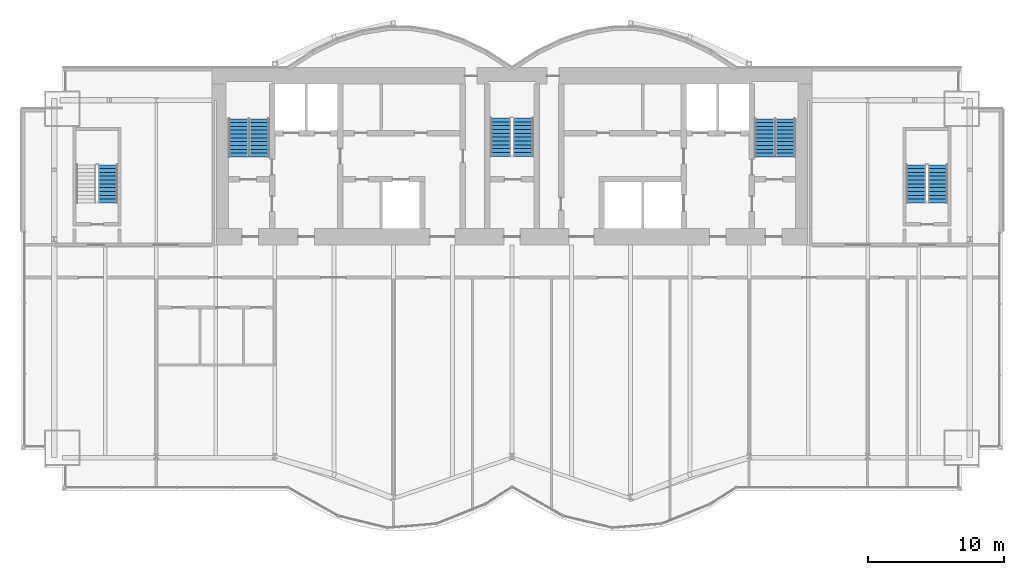
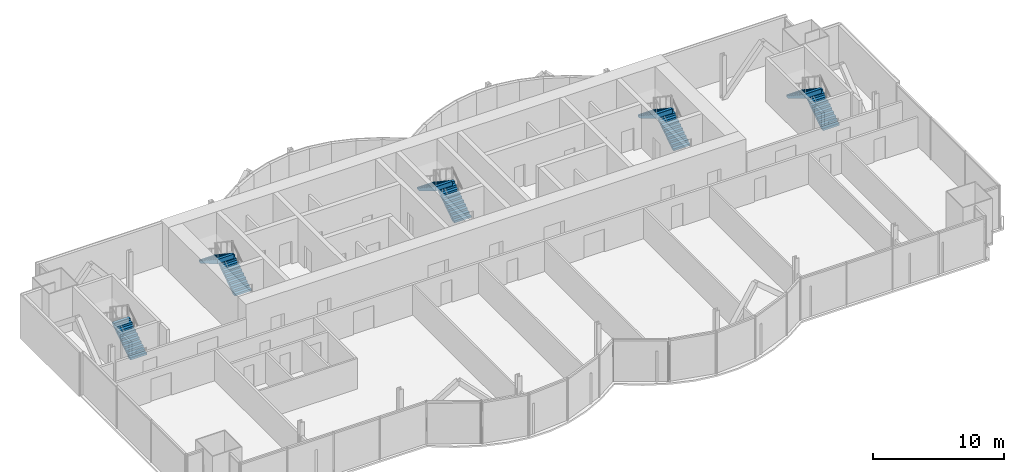
# One storey, part 17 of 20: 9 stair flights, 5 elements without a shape of their own.
"""IFC4 building model written with IfcOpenShell, lengths in metres."""

from ifc_helpers import new_model, si_unit, direction, frame, origin, place, context, subcontext, project, spatial, polyline, outline, extrude, material, type_object, element, aggregate, save


model = new_model("IFC4")

# Units and contexts
model_context = context("Model", 3, precision=1e-05, world=origin(), true_north=direction((0.0, 1.0)))
body_context = subcontext(model_context, "Body", "Model", "MODEL_VIEW")
ifc_project = project(units=[si_unit("LENGTHUNIT", "METRE"), si_unit("AREAUNIT", "SQUARE_METRE"), si_unit("VOLUMEUNIT", "CUBIC_METRE"), si_unit("PLANEANGLEUNIT", "RADIAN"), si_unit("MASSUNIT", "GRAM", prefix="KILO")], contexts=[model_context])

# Site, building, storey
site_placement = place(None, origin())
site = spatial("IfcSite", under=ifc_project, at=site_placement, CompositionType="ELEMENT")
building_placement = place(site_placement, origin())
building = spatial("IfcBuilding", under=site, at=building_placement, Name="Bicima Exchange Tower", CompositionType="ELEMENT")
storey_placement = place(building_placement, frame((0.0, 0.0, 227.800048828125)))
storey = spatial("IfcBuildingStorey", under=building, at=storey_placement, Name="L51", CompositionType="ELEMENT", Elevation=227.800048828125)

# Stair, stair flights
ifc_material = material(Name="Concrete C50/60", Category="concrete")
stair_type_1 = type_object("IfcStairType", Name="Exit stair", PredefinedType="HALF_TURN_STAIR", material=ifc_material)
stair_1_placement = place(storey_placement, origin())
stair_1 = element("IfcStair", 1, at=stair_1_placement, inside=storey, type_object=stair_type_1, Name="L51 West exit stair", PredefinedType="HALF_TURN_STAIR")
stair_flight_type_1 = type_object("IfcStairFlightType", Name="Stair flight RC", PredefinedType="STRAIGHT", material=ifc_material)
stair_flight_1_placement = place(storey_placement, frame((-18.52490234375, -6.550048828125, 0.0), z_axis=(0.0, 0.0, 1.0), x_axis=(0.0, 1.0, 0.0)))
stair_flight_1 = element("IfcStairFlight", 2, at=stair_flight_1_placement, type_object=stair_flight_type_1, Name="ST-W flight 1", NumberOfRisers=11, NumberOfTreads=10, PredefinedType="STRAIGHT", RiserHeight=0.186363636, TreadLength=0.28, context=body_context, shape_type="SweptSolid", body=[
    extrude(outline(polyline([(0.0, 0.0), (0.0, 0.186279296875), (0.280029296875, 0.186279296875), (0.280029296875, 0.372802734375), (0.56005859375, 0.372802734375), (0.56005859375, 0.55908203125), (0.840087890625, 0.55908203125), (0.840087890625, 0.745361328125), (1.1201171875, 0.745361328125), (1.1201171875, 0.931884765625), (1.39990234375, 0.931884765625), (1.39990234375, 1.1181640625), (1.679931640625, 1.1181640625), (1.679931640625, 1.304443359375), (1.9599609375, 1.304443359375), (1.9599609375, 1.490966796875), (2.239990234375, 1.490966796875), (2.239990234375, 1.67724609375), (2.52001953125, 1.67724609375), (2.52001953125, 1.863525390625), (2.800048828125, 1.863525390625), (2.800048828125, 2.050048828125), (2.800048828125, 1.68359375), (0.2705078125, 0.0), (0.0, 0.0)])), frame((0.0, 0.72509765625, 0.0), z_axis=(0.0, -1.0, 0.0), x_axis=(1.0, 0.0, 0.0)), (0.0, 0.0, 1.0), 1.449951171875),
])
stair_flight_2_placement = place(storey_placement, frame((-20.074951171875, -3.75, 2.050048828125), z_axis=(0.0, 0.0, 1.0), x_axis=(0.0, -1.0, 0.0)))
stair_flight_2 = element("IfcStairFlight", 3, at=stair_flight_2_placement, type_object=stair_flight_type_1, Name="ST-W flight 2", NumberOfRisers=11, NumberOfTreads=10, PredefinedType="STRAIGHT", RiserHeight=0.186363636, TreadLength=0.28, context=body_context, shape_type="SweptSolid", body=[
    extrude(outline(polyline([(0.0, 0.0), (0.0, 0.186279296875), (0.280029296875, 0.186279296875), (0.280029296875, 0.372802734375), (0.56005859375, 0.372802734375), (0.56005859375, 0.55908203125), (0.840087890625, 0.55908203125), (0.840087890625, 0.745361328125), (1.1201171875, 0.745361328125), (1.1201171875, 0.931884765625), (1.39990234375, 0.931884765625), (1.39990234375, 1.1181640625), (1.679931640625, 1.1181640625), (1.679931640625, 1.304443359375), (1.9599609375, 1.304443359375), (1.9599609375, 1.490966796875), (2.239990234375, 1.490966796875), (2.239990234375, 1.67724609375), (2.52001953125, 1.67724609375), (2.52001953125, 1.863525390625), (2.800048828125, 1.863525390625), (2.800048828125, 1.904052734375), (2.81494140625, 1.904052734375), (2.81494140625, 1.507080078125), (0.2705078125, 0.0), (0.0, 0.0)])), frame((0.0, 0.72509765625, 0.0), z_axis=(0.0, -1.0, 0.0), x_axis=(1.0, 0.0, 0.0)), (0.0, 0.0, 1.0), 1.449951171875),
])
aggregate(stair_1, [stair_flight_1, stair_flight_2])

stair_2_placement = place(storey_placement, origin())
stair_2 = element("IfcStair", 4, at=stair_2_placement, inside=storey, type_object=stair_type_1, Name="L51 East exit stair", PredefinedType="HALF_TURN_STAIR")
stair_flight_3_placement = place(storey_placement, frame((20.074951171875, -6.550048828125, 0.0), z_axis=(0.0, 0.0, 1.0), x_axis=(0.0, 1.0, 0.0)))
stair_flight_3 = element("IfcStairFlight", 5, at=stair_flight_3_placement, type_object=stair_flight_type_1, Name="ST-E flight 1", NumberOfRisers=11, NumberOfTreads=10, PredefinedType="STRAIGHT", RiserHeight=0.186363636, TreadLength=0.28, context=body_context, shape_type="SweptSolid", body=[
    extrude(outline(polyline([(0.0, 0.0), (0.0, 0.186279296875), (0.280029296875, 0.186279296875), (0.280029296875, 0.372802734375), (0.56005859375, 0.372802734375), (0.56005859375, 0.55908203125), (0.840087890625, 0.55908203125), (0.840087890625, 0.745361328125), (1.1201171875, 0.745361328125), (1.1201171875, 0.931884765625), (1.39990234375, 0.931884765625), (1.39990234375, 1.1181640625), (1.679931640625, 1.1181640625), (1.679931640625, 1.304443359375), (1.9599609375, 1.304443359375), (1.9599609375, 1.490966796875), (2.239990234375, 1.490966796875), (2.239990234375, 1.67724609375), (2.52001953125, 1.67724609375), (2.52001953125, 1.863525390625), (2.800048828125, 1.863525390625), (2.800048828125, 2.050048828125), (2.800048828125, 1.68359375), (0.2705078125, 0.0), (0.0, 0.0)])), frame((0.0, 0.72509765625, 0.0), z_axis=(0.0, -1.0, 0.0), x_axis=(1.0, 0.0, 0.0)), (0.0, 0.0, 1.0), 1.449951171875),
])
stair_flight_4_placement = place(storey_placement, frame((18.52490234375, -3.75, 2.050048828125), z_axis=(0.0, 0.0, 1.0), x_axis=(0.0, -1.0, 0.0)))
stair_flight_4 = element("IfcStairFlight", 6, at=stair_flight_4_placement, type_object=stair_flight_type_1, Name="ST-E flight 2", NumberOfRisers=11, NumberOfTreads=10, PredefinedType="STRAIGHT", RiserHeight=0.186363636, TreadLength=0.28, context=body_context, shape_type="SweptSolid", body=[
    extrude(outline(polyline([(0.0, 0.0), (0.0, 0.186279296875), (0.280029296875, 0.186279296875), (0.280029296875, 0.372802734375), (0.56005859375, 0.372802734375), (0.56005859375, 0.55908203125), (0.840087890625, 0.55908203125), (0.840087890625, 0.745361328125), (1.1201171875, 0.745361328125), (1.1201171875, 0.931884765625), (1.39990234375, 0.931884765625), (1.39990234375, 1.1181640625), (1.679931640625, 1.1181640625), (1.679931640625, 1.304443359375), (1.9599609375, 1.304443359375), (1.9599609375, 1.490966796875), (2.239990234375, 1.490966796875), (2.239990234375, 1.67724609375), (2.52001953125, 1.67724609375), (2.52001953125, 1.863525390625), (2.800048828125, 1.863525390625), (2.800048828125, 1.904052734375), (2.81494140625, 1.904052734375), (2.81494140625, 1.507080078125), (0.2705078125, 0.0), (0.0, 0.0)])), frame((0.0, 0.72509765625, 0.0), z_axis=(0.0, -1.0, 0.0), x_axis=(1.0, 0.0, 0.0)), (0.0, 0.0, 1.0), 1.449951171875),
])
aggregate(stair_2, [stair_flight_3, stair_flight_4])

# Stair, stair flight
stair_3_placement = place(storey_placement, origin())
stair_3 = element("IfcStair", 7, at=stair_3_placement, inside=storey, type_object=stair_type_1, Name="L51 West end exit stair", PredefinedType="HALF_TURN_STAIR")
stair_flight_5_placement = place(storey_placement, frame((-29.64990234375, -9.925048828125, 0.0), z_axis=(0.0, 0.0, 1.0), x_axis=(0.0, 1.0, 0.0)))
stair_flight_5 = element("IfcStairFlight", 8, at=stair_flight_5_placement, type_object=stair_flight_type_1, Name="ST-WW flight 1", NumberOfRisers=11, NumberOfTreads=10, PredefinedType="STRAIGHT", RiserHeight=0.186363636, TreadLength=0.28, context=body_context, shape_type="SweptSolid", body=[
    extrude(outline(polyline([(0.0, 0.0), (0.0, 0.186279296875), (0.280029296875, 0.186279296875), (0.280029296875, 0.372802734375), (0.56005859375, 0.372802734375), (0.56005859375, 0.55908203125), (0.840087890625, 0.55908203125), (0.840087890625, 0.745361328125), (1.1201171875, 0.745361328125), (1.1201171875, 0.931884765625), (1.39990234375, 0.931884765625), (1.39990234375, 1.1181640625), (1.679931640625, 1.1181640625), (1.679931640625, 1.304443359375), (1.9599609375, 1.304443359375), (1.9599609375, 1.490966796875), (2.239990234375, 1.490966796875), (2.239990234375, 1.67724609375), (2.52001953125, 1.67724609375), (2.52001953125, 1.863525390625), (2.800048828125, 1.863525390625), (2.800048828125, 2.050048828125), (2.800048828125, 1.68359375), (0.2705078125, 0.0), (0.0, 0.0)])), frame((0.0, 0.72509765625, 0.0), z_axis=(0.0, -1.0, 0.0), x_axis=(1.0, 0.0, 0.0)), (0.0, 0.0, 1.0), 1.449951171875),
])
aggregate(stair_3, [stair_flight_5])

# Stair, stair flights
stair_4_placement = place(storey_placement, origin())
stair_4 = element("IfcStair", 9, at=stair_4_placement, inside=storey, type_object=stair_type_1, Name="L51 East end exit stair", PredefinedType="HALF_TURN_STAIR")
stair_flight_6_placement = place(storey_placement, frame((31.25, -9.925048828125, 0.0), z_axis=(0.0, 0.0, 1.0), x_axis=(0.0, 1.0, 0.0)))
stair_flight_6 = element("IfcStairFlight", 10, at=stair_flight_6_placement, type_object=stair_flight_type_1, Name="ST-EE flight 1", NumberOfRisers=11, NumberOfTreads=10, PredefinedType="STRAIGHT", RiserHeight=0.186363636, TreadLength=0.28, context=body_context, shape_type="SweptSolid", body=[
    extrude(outline(polyline([(0.0, 0.0), (0.0, 0.186279296875), (0.280029296875, 0.186279296875), (0.280029296875, 0.372802734375), (0.56005859375, 0.372802734375), (0.56005859375, 0.55908203125), (0.840087890625, 0.55908203125), (0.840087890625, 0.745361328125), (1.1201171875, 0.745361328125), (1.1201171875, 0.931884765625), (1.39990234375, 0.931884765625), (1.39990234375, 1.1181640625), (1.679931640625, 1.1181640625), (1.679931640625, 1.304443359375), (1.9599609375, 1.304443359375), (1.9599609375, 1.490966796875), (2.239990234375, 1.490966796875), (2.239990234375, 1.67724609375), (2.52001953125, 1.67724609375), (2.52001953125, 1.863525390625), (2.800048828125, 1.863525390625), (2.800048828125, 2.050048828125), (2.800048828125, 1.68359375), (0.2705078125, 0.0), (0.0, 0.0)])), frame((0.0, 0.72509765625, 0.0), z_axis=(0.0, -1.0, 0.0), x_axis=(1.0, 0.0, 0.0)), (0.0, 0.0, 1.0), 1.449951171875),
])
stair_flight_7_placement = place(storey_placement, frame((29.64990234375, -7.125, 2.050048828125), z_axis=(0.0, 0.0, 1.0), x_axis=(0.0, -1.0, 0.0)))
stair_flight_7 = element("IfcStairFlight", 11, at=stair_flight_7_placement, type_object=stair_flight_type_1, Name="ST-EE flight 2", NumberOfRisers=11, NumberOfTreads=10, PredefinedType="STRAIGHT", RiserHeight=0.186363636, TreadLength=0.28, context=body_context, shape_type="SweptSolid", body=[
    extrude(outline(polyline([(0.0, 0.0), (0.0, 0.186279296875), (0.280029296875, 0.186279296875), (0.280029296875, 0.372802734375), (0.56005859375, 0.372802734375), (0.56005859375, 0.55908203125), (0.840087890625, 0.55908203125), (0.840087890625, 0.745361328125), (1.1201171875, 0.745361328125), (1.1201171875, 0.931884765625), (1.39990234375, 0.931884765625), (1.39990234375, 1.1181640625), (1.679931640625, 1.1181640625), (1.679931640625, 1.304443359375), (1.9599609375, 1.304443359375), (1.9599609375, 1.490966796875), (2.239990234375, 1.490966796875), (2.239990234375, 1.67724609375), (2.52001953125, 1.67724609375), (2.52001953125, 1.863525390625), (2.800048828125, 1.863525390625), (2.800048828125, 1.904052734375), (2.81494140625, 1.904052734375), (2.81494140625, 1.507080078125), (0.2705078125, 0.0), (0.0, 0.0)])), frame((0.0, 0.72509765625, 0.0), z_axis=(0.0, -1.0, 0.0), x_axis=(1.0, 0.0, 0.0)), (0.0, 0.0, 1.0), 1.449951171875),
])
aggregate(stair_4, [stair_flight_6, stair_flight_7])

stair_type_2 = type_object("IfcStairType", Name="Exit stair 1500", PredefinedType="HALF_TURN_STAIR", material=ifc_material)
stair_5_placement = place(storey_placement, origin())
stair_5 = element("IfcStair", 12, at=stair_5_placement, inside=storey, type_object=stair_type_2, Name="L51 Central exit stair", PredefinedType="HALF_TURN_STAIR")
stair_flight_type_2 = type_object("IfcStairFlightType", Name="Stair flight RC 1500", PredefinedType="STRAIGHT", material=ifc_material)
stair_flight_8_placement = place(storey_placement, frame((0.824951171875, -6.5, 0.0), z_axis=(0.0, 0.0, 1.0), x_axis=(0.0, 1.0, 0.0)))
stair_flight_8 = element("IfcStairFlight", 13, at=stair_flight_8_placement, type_object=stair_flight_type_2, Name="ST-C flight 1", NumberOfRisers=11, NumberOfTreads=10, PredefinedType="STRAIGHT", RiserHeight=0.186363636, TreadLength=0.28, context=body_context, shape_type="SweptSolid", body=[
    extrude(outline(polyline([(0.0, 0.0), (0.0, 0.186279296875), (0.280029296875, 0.186279296875), (0.280029296875, 0.372802734375), (0.56005859375, 0.372802734375), (0.56005859375, 0.55908203125), (0.840087890625, 0.55908203125), (0.840087890625, 0.745361328125), (1.1201171875, 0.745361328125), (1.1201171875, 0.931884765625), (1.39990234375, 0.931884765625), (1.39990234375, 1.1181640625), (1.679931640625, 1.1181640625), (1.679931640625, 1.304443359375), (1.9599609375, 1.304443359375), (1.9599609375, 1.490966796875), (2.239990234375, 1.490966796875), (2.239990234375, 1.67724609375), (2.52001953125, 1.67724609375), (2.52001953125, 1.863525390625), (2.800048828125, 1.863525390625), (2.800048828125, 2.050048828125), (2.800048828125, 1.68359375), (0.2705078125, 0.0), (0.0, 0.0)])), frame((0.0, 0.75, 0.0), z_axis=(0.0, -1.0, 0.0), x_axis=(1.0, 0.0, 0.0)), (0.0, 0.0, 1.0), 1.5),
])
stair_flight_9_placement = place(storey_placement, frame((-0.824951171875, -3.699951171875, 2.050048828125), z_axis=(0.0, 0.0, 1.0), x_axis=(0.0, -1.0, 0.0)))
stair_flight_9 = element("IfcStairFlight", 14, at=stair_flight_9_placement, type_object=stair_flight_type_2, Name="ST-C flight 2", NumberOfRisers=11, NumberOfTreads=10, PredefinedType="STRAIGHT", RiserHeight=0.186363636, TreadLength=0.28, context=body_context, shape_type="SweptSolid", body=[
    extrude(outline(polyline([(0.0, 0.0), (0.0, 0.186279296875), (0.280029296875, 0.186279296875), (0.280029296875, 0.372802734375), (0.56005859375, 0.372802734375), (0.56005859375, 0.55908203125), (0.840087890625, 0.55908203125), (0.840087890625, 0.745361328125), (1.1201171875, 0.745361328125), (1.1201171875, 0.931884765625), (1.39990234375, 0.931884765625), (1.39990234375, 1.1181640625), (1.679931640625, 1.1181640625), (1.679931640625, 1.304443359375), (1.9599609375, 1.304443359375), (1.9599609375, 1.490966796875), (2.239990234375, 1.490966796875), (2.239990234375, 1.67724609375), (2.52001953125, 1.67724609375), (2.52001953125, 1.863525390625), (2.800048828125, 1.863525390625), (2.800048828125, 1.904052734375), (2.81494140625, 1.904052734375), (2.81494140625, 1.507080078125), (0.2705078125, 0.0), (0.0, 0.0)])), frame((0.0, 0.75, 0.0), z_axis=(0.0, -1.0, 0.0), x_axis=(1.0, 0.0, 0.0)), (0.0, 0.0, 1.0), 1.5),
])
aggregate(stair_5, [stair_flight_8, stair_flight_9])

save(model, "model.ifc")
